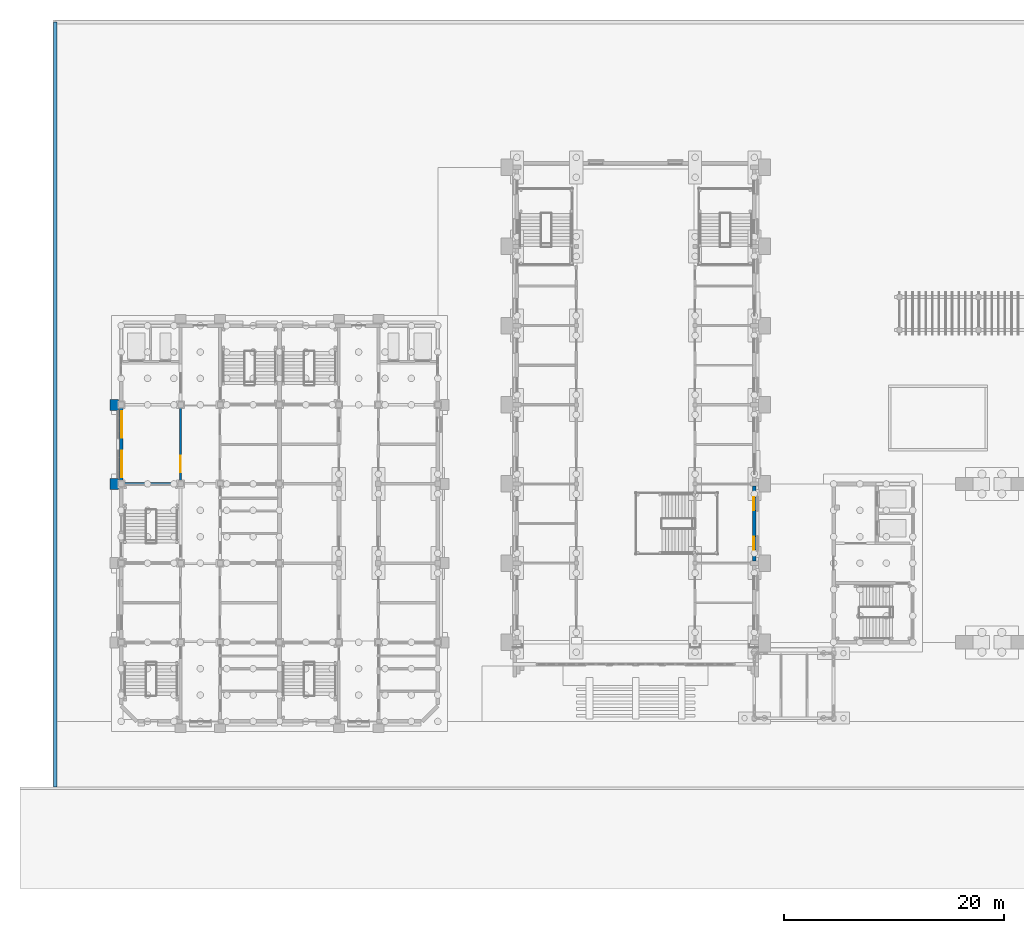
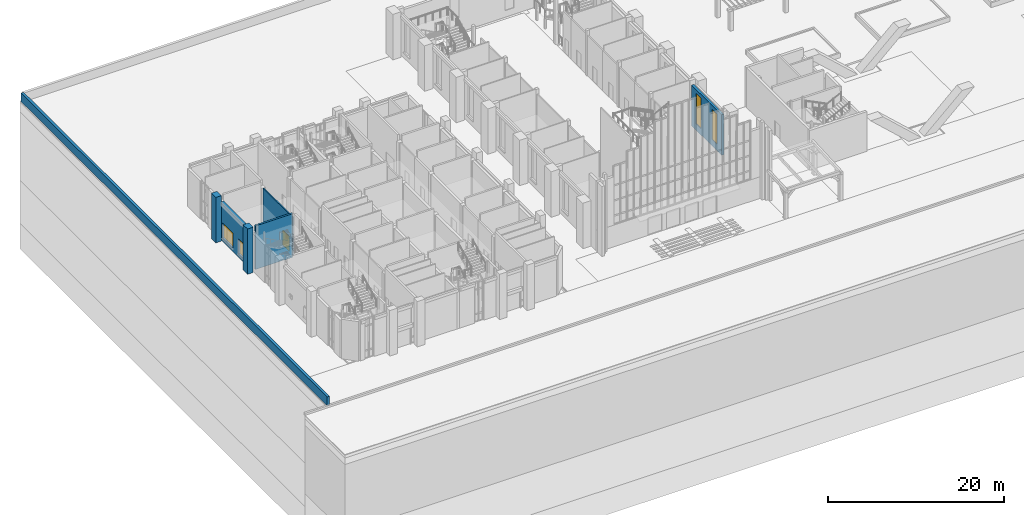
# One storey, part 35 of 84: 7 walls, 4 windows, 1 door, 5 openings.
"""IFC4 building model written with IfcOpenShell, lengths in metres."""

from ifc_helpers import new_model, si_unit, direction, frame, frame_2d, origin, place, context, subcontext, project, spatial, rectangle, extrude, material, layer, layer_set, type_object, element, fill, save


model = new_model("IFC4")

# Units and contexts
model_context = context("Model", 3, precision=1e-05, world=origin(), true_north=direction((0.0, 1.0)))
body_context = subcontext(model_context, "Body", "Model", "MODEL_VIEW")
ifc_project = project(units=[si_unit("LENGTHUNIT", "METRE"), si_unit("AREAUNIT", "SQUARE_METRE"), si_unit("VOLUMEUNIT", "CUBIC_METRE"), si_unit("PLANEANGLEUNIT", "RADIAN"), si_unit("MASSUNIT", "GRAM", prefix="KILO")], contexts=[model_context])

# Site, building, storey
site_placement = place(None, origin())
site = spatial("IfcSite", under=ifc_project, at=site_placement, CompositionType="ELEMENT")
building_placement = place(site_placement, origin())
building = spatial("IfcBuilding", under=site, at=building_placement, Name="Mazhai Court Health Centre", CompositionType="ELEMENT")
storey_placement = place(building_placement, origin())
storey = spatial("IfcBuildingStorey", under=building, at=storey_placement, Name="L00", CompositionType="ELEMENT", Elevation=0.0)

# Walls
ifc_material_1 = material(Name="Clay brick masonry", Category="masonry")
ifc_layer_1 = layer(ifc_material_1, 0.330078125)
ifc_layer_set_1 = layer_set([ifc_layer_1], Name="BRICK BOUNDARY WALL 330")
wall_type_1 = type_object("IfcWallType", Name="BRICK BOUNDARY WALL 330", PredefinedType="SOLIDWALL", material=ifc_layer_set_1)
wall_1_placement = place(storey_placement, frame((0.199951171875, 0.25, 0.0), z_axis=(0.0, 0.0, 1.0), x_axis=(0.0, 1.0, 0.0)))
element("IfcWall", 1, at=wall_1_placement, inside=storey, type_object=wall_type_1, Name="Boundary wall W", PredefinedType="SOLIDWALL", context=body_context, shape_type="SweptSolid", body=[
    extrude(rectangle(XDim=69.550048828125, YDim=0.330078125, at=frame_2d((34.77490234375, 0.0))), origin(), (0.0, 0.0, 1.0), 1.199951171875),
])
ifc_material_2 = material(Name="Clay brick masonry", Category="masonry")
ifc_layer_2 = layer(ifc_material_2, 0.75)
ifc_layer_set_2 = layer_set([ifc_layer_2], Name="BRICK PIER 750")
wall_type_2 = type_object("IfcWallType", Name="BRICK PIER 750", PredefinedType="SOLIDWALL", material=ifc_layer_set_2)
for number, where, z_axis, x_axis, name in (
    (2, (5.574951171875, 27.300048828125, 0.0), (0.0, 0.0, 1.0), (0.0, 1.0, 0.0), "EP-V2-L00-A3"),
    (3, (5.574951171875, 34.5, 0.0), (0.0, 0.0, 1.0), (0.0, 1.0, 0.0), "EP-V2-L00-A4"),
):
    element("IfcWall", number, at=place(storey_placement, frame(where, z_axis=z_axis, x_axis=x_axis)), inside=storey, type_object=wall_type_2, Name=name, PredefinedType="SOLIDWALL", context=body_context, shape_type="SweptSolid", body=[
        extrude(rectangle(XDim=1.0, YDim=0.75, at=frame_2d((0.5, 0.0))), origin(), (0.0, 0.0, 1.0), 6.300048828125),
    ])

# Wall, openings, windows
ifc_material_3 = material(Name="Clay brick masonry", Category="masonry")
ifc_layer_3 = layer(ifc_material_3, 0.330078125)
ifc_layer_set_3 = layer_set([ifc_layer_3], Name="BRICK WALL 330 EXTERNAL")
wall_type_3 = type_object("IfcWallType", Name="BRICK WALL 330 EXTERNAL", PredefinedType="SOLIDWALL", material=ifc_layer_set_3)
wall_2_placement = place(storey_placement, frame((6.199951171875, 28.050048828125, 0.0), z_axis=(0.0, 0.0, 1.0), x_axis=(0.0, 1.0, 0.0)))
wall_2 = element("IfcWall", 4, at=wall_2_placement, inside=storey, type_object=wall_type_3, Name="EW-V2-L00-A3p0", PredefinedType="SOLIDWALL", context=body_context, shape_type="SweptSolid", body=[
    extrude(rectangle(XDim=6.699951171875, YDim=0.330078125, at=frame_2d((3.35009765625, 0.0))), origin(), (0.0, 0.0, 1.0), 5.25),
])
opening_1_placement = place(wall_2_placement, frame((0.35009765625, 0.0, 0.449951171875)))
opening_1 = element("IfcOpeningElement", 5, at=opening_1_placement, cuts=wall_2, Name="Opening W10", PredefinedType="OPENING", context=body_context, shape_type="SweptSolid", body=[
    extrude(rectangle(XDim=2.39990234375, YDim=2.10009765625, at=frame_2d((1.199951171875, 1.050048828125))), frame((0.0, 0.175048828125, 0.0), z_axis=(0.0, -1.0, 0.0), x_axis=(1.0, 0.0, 0.0)), (0.0, 0.0, 1.0), 0.35009765625),
])
opening_2_placement = place(wall_2_placement, frame((3.949951171875, 0.0, 0.449951171875)))
opening_2 = element("IfcOpeningElement", 6, at=opening_2_placement, cuts=wall_2, Name="Opening W10", PredefinedType="OPENING", context=body_context, shape_type="SweptSolid", body=[
    extrude(rectangle(XDim=2.39990234375, YDim=2.10009765625, at=frame_2d((1.199951171875, 1.050048828125))), frame((0.0, 0.175048828125, 0.0), z_axis=(0.0, -1.0, 0.0), x_axis=(1.0, 0.0, 0.0)), (0.0, 0.0, 1.0), 0.35009765625),
])
ifc_material_4 = material(Name="Teak timber frame, glazed", Category="wood")
window_type_1 = type_object("IfcWindowType", Name="WINDOW LOUNGE 2400x2100", PartitioningType="SINGLE_PANEL", PredefinedType="WINDOW", material=ifc_material_4)
window_1_placement = place(opening_1_placement, origin())
window_1 = element("IfcWindow", 7, at=window_1_placement, inside=storey, type_object=window_type_1, Name="W10 WN-V2-L00-A30", OverallHeight=2.10009765625, OverallWidth=2.39990234375, PartitioningType="SINGLE_PANEL", PredefinedType="WINDOW", context=body_context, shape_type="SweptSolid", body=[
    extrude(rectangle(XDim=2.39990234375, YDim=2.10009765625, at=frame_2d((1.199951171875, 1.050048828125))), frame((0.0, -0.030029296875, 0.0), z_axis=(0.0, -1.0, 0.0), x_axis=(1.0, 0.0, 0.0)), (0.0, 0.0, 1.0), 0.06005859375),
])
fill(opening_1, window_1)
window_2_placement = place(opening_2_placement, origin())
window_2 = element("IfcWindow", 8, at=window_2_placement, inside=storey, type_object=window_type_1, Name="W10 WN-V2-L00-A31", OverallHeight=2.10009765625, OverallWidth=2.39990234375, PartitioningType="SINGLE_PANEL", PredefinedType="WINDOW", context=body_context, shape_type="SweptSolid", body=[
    extrude(rectangle(XDim=2.39990234375, YDim=2.10009765625, at=frame_2d((1.199951171875, 1.050048828125))), frame((0.0, -0.030029296875, 0.0), z_axis=(0.0, -1.0, 0.0), x_axis=(1.0, 0.0, 0.0)), (0.0, 0.0, 1.0), 0.06005859375),
])
fill(opening_2, window_2)

wall_3_placement = place(storey_placement, frame((63.800048828125, 27.60009765625, 0.0), z_axis=(0.0, 0.0, 1.0), x_axis=(0.0, -1.0, 0.0)))
wall_3 = element("IfcWall", 9, at=wall_3_placement, inside=storey, type_object=wall_type_3, Name="EW-V1-L00-E1", PredefinedType="SOLIDWALL", context=body_context, shape_type="SweptSolid", body=[
    extrude(rectangle(XDim=6.800048828125, YDim=0.330078125, at=frame_2d((3.39990234375, 0.0))), origin(), (0.0, 0.0, 1.0), 5.6201171875),
])
opening_3_placement = place(wall_3_placement, frame((4.60009765625, 0.0, 0.89990234375)))
opening_3 = element("IfcOpeningElement", 10, at=opening_3_placement, cuts=wall_3, Name="Opening W3", PredefinedType="OPENING", context=body_context, shape_type="SweptSolid", body=[
    extrude(rectangle(XDim=1.199951171875, YDim=4.199951171875, at=frame_2d((0.60009765625, 2.10009765625))), frame((0.0, 0.175048828125, 0.0), z_axis=(0.0, -1.0, 0.0), x_axis=(1.0, 0.0, 0.0)), (0.0, 0.0, 1.0), 0.35009765625),
])
opening_4_placement = place(wall_3_placement, frame((1.0, 0.0, 0.89990234375)))
opening_4 = element("IfcOpeningElement", 11, at=opening_4_placement, cuts=wall_3, Name="Opening W3", PredefinedType="OPENING", context=body_context, shape_type="SweptSolid", body=[
    extrude(rectangle(XDim=1.199951171875, YDim=4.199951171875, at=frame_2d((0.60009765625, 2.10009765625))), frame((0.0, 0.175048828125, 0.0), z_axis=(0.0, -1.0, 0.0), x_axis=(1.0, 0.0, 0.0)), (0.0, 0.0, 1.0), 0.35009765625),
])
ifc_material_5 = material(Name="Teak timber frame, glazed", Category="wood")
window_type_2 = type_object("IfcWindowType", Name="WINDOW HALL 1200x4200", PartitioningType="SINGLE_PANEL", PredefinedType="WINDOW", material=ifc_material_5)
window_3_placement = place(opening_3_placement, origin())
window_3 = element("IfcWindow", 12, at=window_3_placement, inside=storey, type_object=window_type_2, Name="W3 WN-V1-L00-E1a", OverallHeight=4.199951171875, OverallWidth=1.199951171875, PartitioningType="SINGLE_PANEL", PredefinedType="WINDOW", context=body_context, shape_type="SweptSolid", body=[
    extrude(rectangle(XDim=1.199951171875, YDim=4.199951171875, at=frame_2d((0.60009765625, 2.10009765625))), frame((0.0, -0.030029296875, 0.0), z_axis=(0.0, -1.0, 0.0), x_axis=(1.0, 0.0, 0.0)), (0.0, 0.0, 1.0), 0.06005859375),
])
fill(opening_3, window_3)
window_4_placement = place(opening_4_placement, origin())
window_4 = element("IfcWindow", 13, at=window_4_placement, inside=storey, type_object=window_type_2, Name="W3 WN-V1-L00-E1b", OverallHeight=4.199951171875, OverallWidth=1.199951171875, PartitioningType="SINGLE_PANEL", PredefinedType="WINDOW", context=body_context, shape_type="SweptSolid", body=[
    extrude(rectangle(XDim=1.199951171875, YDim=4.199951171875, at=frame_2d((0.60009765625, 2.10009765625))), frame((0.0, -0.030029296875, 0.0), z_axis=(0.0, -1.0, 0.0), x_axis=(1.0, 0.0, 0.0)), (0.0, 0.0, 1.0), 0.06005859375),
])
fill(opening_4, window_4)

# Wall, opening, door
ifc_material_6 = material(Name="Gypsum plasterboard partition")
ifc_layer_4 = layer(ifc_material_6, 0.14990234375)
ifc_layer_set_4 = layer_set([ifc_layer_4], Name="PARTITION 150 CORRIDOR EI60")
wall_type_4 = type_object("IfcWallType", Name="PARTITION 150 CORRIDOR EI60", PredefinedType="PARTITIONING", material=ifc_layer_set_4)
wall_4_placement = place(storey_placement, frame((11.60009765625, 28.050048828125, 0.0), z_axis=(0.0, 0.0, 1.0), x_axis=(0.0, 1.0, 0.0)))
wall_4 = element("IfcWall", 14, at=wall_4_placement, inside=storey, type_object=wall_type_4, Name="wall-V2-L00-A1-corr-0a", PredefinedType="PARTITIONING", context=body_context, shape_type="SweptSolid", body=[
    extrude(rectangle(XDim=6.699951171875, YDim=0.14990234375, at=frame_2d((3.35009765625, 0.0))), origin(), (0.0, 0.0, 1.0), 5.25),
])
opening_5_placement = place(wall_4_placement, frame((0.800048828125, 0.0, 0.0)))
opening_5 = element("IfcOpeningElement", 15, at=opening_5_placement, cuts=wall_4, Name="Opening D-L00-006", PredefinedType="OPENING", context=body_context, shape_type="SweptSolid", body=[
    extrude(rectangle(XDim=1.5, YDim=2.10009765625, at=frame_2d((0.75, 1.050048828125))), frame((0.0, 0.0849609375, 0.0), z_axis=(0.0, -1.0, 0.0), x_axis=(1.0, 0.0, 0.0)), (0.0, 0.0, 1.0), 0.169921875),
])
ifc_material_7 = material(Name="Hardwood door leaf", Category="wood")
door_type = type_object("IfcDoorType", Name="DOOR 1500x2100 FD30S DOUBLE", OperationType="NOTDEFINED", PredefinedType="DOOR", material=ifc_material_7)
door_placement = place(opening_5_placement, origin())
door = element("IfcDoor", 16, at=door_placement, inside=storey, type_object=door_type, Name="door-V2-L00-A1-day-surgery-waiting-lounge", OperationType="DOUBLE_DOOR_SINGLE_SWING", OverallHeight=2.10009765625, OverallWidth=1.5, PredefinedType="DOOR", context=body_context, shape_type="SweptSolid", body=[
    extrude(rectangle(XDim=1.5, YDim=2.10009765625, at=frame_2d((0.75, 1.050048828125))), frame((0.0, 0.02490234375, 0.0), z_axis=(0.0, -1.0, 0.0), x_axis=(1.0, 0.0, 0.0)), (0.0, 0.0, 1.0), 0.050048828125),
])
fill(opening_5, door)

# Wall
ifc_material_8 = material(Name="Concrete M40", Category="concrete")
ifc_layer_5 = layer(ifc_material_8, 0.25)
ifc_layer_set_5 = layer_set([ifc_layer_5], Name="RC CORE WALL 250 M40")
wall_type_5 = type_object("IfcWallType", Name="RC CORE WALL 250 M40", PredefinedType="SHEAR", material=ifc_layer_set_5)
wall_5_placement = place(storey_placement, frame((6.449951171875, 27.800048828125, 0.0), z_axis=(0.0, 0.0, 1.0), x_axis=(1.0, 0.0, 0.0)))
element("IfcWall", 17, at=wall_5_placement, inside=storey, type_object=wall_type_5, Name="core-C2-w-stair-line1-L00", PredefinedType="SHEAR", context=body_context, shape_type="SweptSolid", body=[
    extrude(rectangle(XDim=4.900146484375, YDim=0.25, at=frame_2d((2.4501953125, 0.0))), origin(), (0.0, 0.0, 1.0), 6.050048828125),
])

save(model, "model.ifc")
